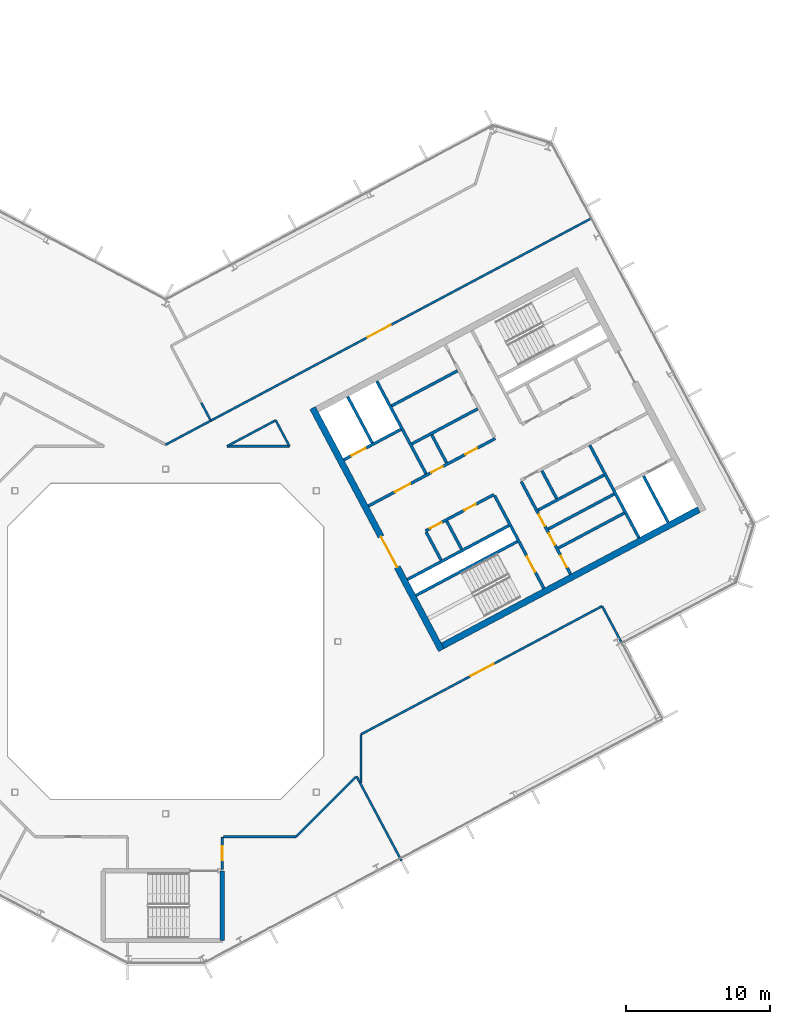
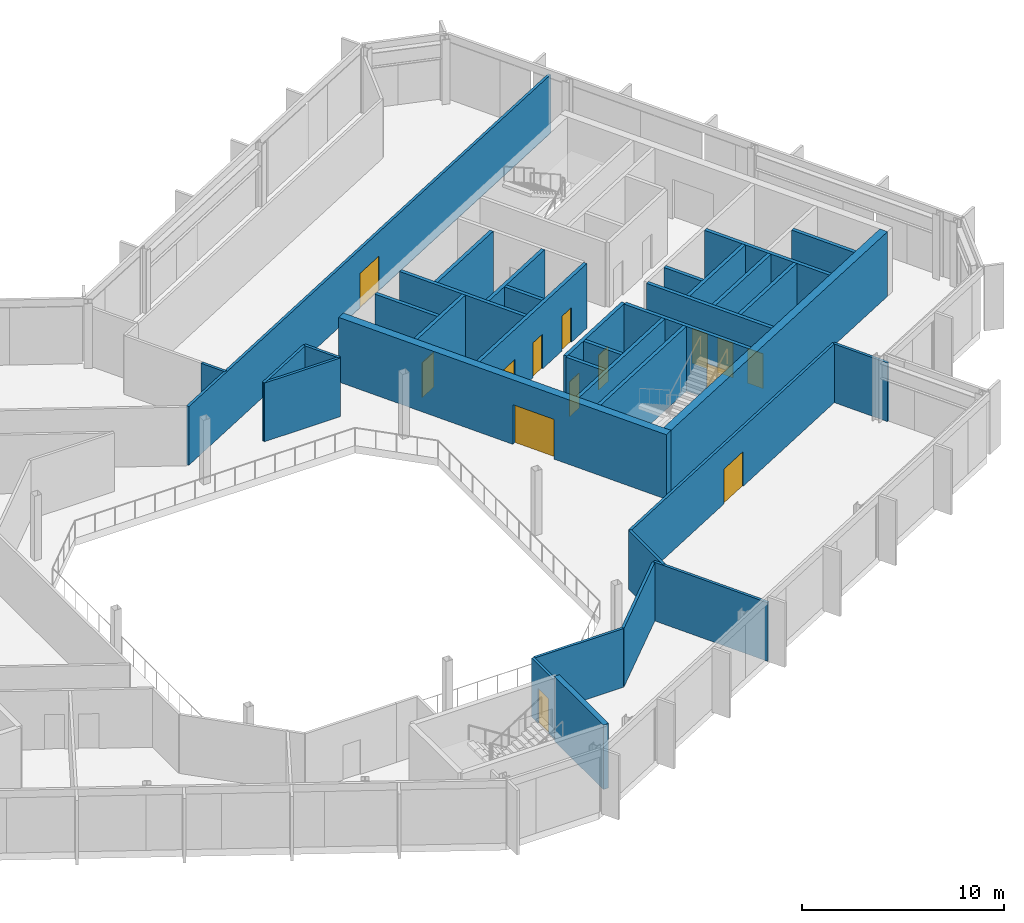
# One storey, part 16 of 26: 35 walls, 14 doors, 14 openings.
"""IFC4 building model written with IfcOpenShell, lengths in metres."""

from ifc_helpers import new_model, si_unit, direction, frame, frame_2d, origin, place, context, subcontext, project, spatial, rectangle, extrude, material, layer, layer_set, type_object, element, fill, save


model = new_model("IFC4")

# Units and contexts
model_context = context("Model", 3, precision=1e-05, world=origin(), true_north=direction((0.0, 1.0)))
body_context = subcontext(model_context, "Body", "Model", "MODEL_VIEW")
ifc_project = project(units=[si_unit("LENGTHUNIT", "METRE"), si_unit("AREAUNIT", "SQUARE_METRE"), si_unit("VOLUMEUNIT", "CUBIC_METRE"), si_unit("PLANEANGLEUNIT", "RADIAN"), si_unit("MASSUNIT", "GRAM", prefix="KILO")], contexts=[model_context])

# Site, building, storey
site_placement = place(None, origin())
site = spatial("IfcSite", under=ifc_project, at=site_placement, CompositionType="ELEMENT")
building_placement = place(site_placement, origin())
building = spatial("IfcBuilding", under=site, at=building_placement, Name="Cormorant Relay Tower", CompositionType="ELEMENT")
storey_placement = place(building_placement, frame((0.0, 0.0, 320.39990234375)))
storey = spatial("IfcBuildingStorey", under=building, at=storey_placement, Name="L73", CompositionType="ELEMENT", Elevation=320.39990234375)

# Walls
ifc_material_1 = material(Name="Concrete 40 MPa", Category="concrete")
ifc_layer_1 = layer(ifc_material_1, 0.199951171875)
ifc_layer_set_1 = layer_set([ifc_layer_1], Name="Core internal wall 200")
wall_type_1 = type_object("IfcWallType", Name="Core internal wall 200", PredefinedType="SOLIDWALL", material=ifc_layer_set_1)
for number, where, z_axis, x_axis, name in (
    (1, (20.614013671875, 6.430419921875, 0.0), (0.0, 0.0, 1.0), (-0.4694473164, 0.882960484464, 0.0), "L73 core B shaft and room wall"),
    (2, (19.568603515625, 12.443603515625, 0.0), (0.0, 0.0, 1.0), (-0.4694473164, 0.882960484464, 0.0), "L73 core B shaft and room wall"),
    (3, (27.236083984375, 9.951416015625, 0.0), (0.0, 0.0, 1.0), (-0.4694473164, 0.882960484464, 0.0), "L73 core B shaft and room wall"),
):
    element("IfcWall", number, at=place(storey_placement, frame(where, z_axis=z_axis, x_axis=x_axis)), inside=storey, type_object=wall_type_1, Name=name, PredefinedType="SOLIDWALL", context=body_context, shape_type="SweptSolid", body=[
        extrude(rectangle(XDim=2.199951171875, YDim=0.199951171875, at=frame_2d((1.10009765625, 0.0))), origin(), (0.0, 0.0, 1.0), 3.900146484375),
    ])
for number, where, z_axis, x_axis, name in (
    (4, (27.349365234375, 6.500732421875, 0.0), (0.0, 0.0, 1.0), (0.882953967957, 0.469459572775, 0.0), "L73 core B shaft and room wall"),
    (5, (26.645263671875, 7.8251953125, 0.0), (0.0, 0.0, 1.0), (0.882953967957, 0.469459572775, 0.0), "L73 core B shaft and room wall"),
    (6, (15.738525390625, 16.409423828125, 0.0), (0.0, 0.0, 1.0), (0.882934506056, 0.469496174655, 0.0), "L73 core B shaft and room wall"),
):
    element("IfcWall", number, at=place(storey_placement, frame(where, z_axis=z_axis, x_axis=x_axis)), inside=storey, type_object=wall_type_1, Name=name, PredefinedType="SOLIDWALL", context=body_context, shape_type="SweptSolid", body=[
        extrude(rectangle(XDim=5.199951171875, YDim=0.199951171875, at=frame_2d((2.60009765625, 0.0))), origin(), (0.0, 0.0, 1.0), 3.900146484375),
    ])
ifc_material_2 = material(Name="Concrete 50 MPa", Category="concrete")
ifc_layer_2 = layer(ifc_material_2, 0.199951171875)
ifc_layer_set_2 = layer_set([ifc_layer_2], Name="Core shaft wall 200")
wall_type_2 = type_object("IfcWallType", Name="Core shaft wall 200", PredefinedType="SHEAR", material=ifc_layer_set_2)
wall_1_placement = place(storey_placement, frame((14.39404296875, 13.825927734375, 0.0), z_axis=(0.0, 0.0, 1.0), x_axis=(-0.469494272526, 0.882935517501, 0.0)))
element("IfcWall", 7, at=wall_1_placement, inside=storey, type_object=wall_type_2, Name="L73 core B shaft wall", PredefinedType="SHEAR", context=body_context, shape_type="SweptSolid", body=[
    extrude(rectangle(XDim=3.64990234375, YDim=0.199951171875, at=frame_2d((1.824951171875, 0.0))), origin(), (0.0, 0.0, 1.0), 3.900146484375),
])
wall_2_placement = place(storey_placement, frame((19.18359375, 5.669921875, 0.0), z_axis=(0.0, 0.0, 1.0), x_axis=(-0.4694473164, 0.882960484464, 0.0)))
element("IfcWall", 8, at=wall_2_placement, inside=storey, type_object=wall_type_2, Name="L73 core B shaft wall", PredefinedType="SHEAR", context=body_context, shape_type="SweptSolid", body=[
    extrude(rectangle(XDim=2.199951171875, YDim=0.199951171875, at=frame_2d((1.10009765625, 0.0))), origin(), (0.0, 0.0, 1.0), 3.900146484375),
])
wall_3_placement = place(storey_placement, frame((18.138427734375, 11.682861328125, 0.0), z_axis=(0.0, 0.0, 1.0), x_axis=(-0.469480409012, 0.88294288918, 0.0)))
element("IfcWall", 9, at=wall_3_placement, inside=storey, type_object=wall_type_2, Name="L73 core B shaft wall", PredefinedType="SHEAR", context=body_context, shape_type="SweptSolid", body=[
    extrude(rectangle(XDim=7.300048828125, YDim=0.199951171875, at=frame_2d((3.64990234375, 0.0))), origin(), (0.0, 0.0, 1.0), 3.900146484375),
])

# Wall, opening, door
wall_4_placement = place(storey_placement, frame((26.345947265625, 3.701904296875, 0.0), z_axis=(0.0, 0.0, 1.0), x_axis=(-0.469480409012, 0.88294288918, 0.0)))
wall_4 = element("IfcWall", 10, at=wall_4_placement, inside=storey, type_object=wall_type_2, Name="L73 core B shaft wall", PredefinedType="SHEAR", context=body_context, shape_type="SweptSolid", body=[
    extrude(rectangle(XDim=7.300048828125, YDim=0.199951171875, at=frame_2d((3.64990234375, 0.0))), origin(), (0.0, 0.0, 1.0), 3.900146484375),
])
opening_1_placement = place(wall_4_placement, frame((1.300048828125, 0.0, 0.0)))
opening_1 = element("IfcOpeningElement", 11, at=opening_1_placement, cuts=wall_4, Name="Opening CDB-040", PredefinedType="OPENING", context=body_context, shape_type="SweptSolid", body=[
    extrude(rectangle(XDim=1.199951171875, YDim=2.10009765625, at=frame_2d((0.60009765625, 1.050048828125))), frame((0.0, 0.10986328125, 0.0), z_axis=(0.0, -1.0, 0.0), x_axis=(1.0, 0.0, 0.0)), (0.0, 0.0, 1.0), 0.219970703125),
])
ifc_material_3 = material(Name="Steel fire door", Category="steel")
door_type_1 = type_object("IfcDoorType", Name="Core stair door 1200x2100", OperationType="SINGLE_SWING_LEFT", PredefinedType="DOOR", material=ifc_material_3)
door_1_placement = place(opening_1_placement, origin())
door_1 = element("IfcDoor", 12, at=door_1_placement, inside=storey, type_object=door_type_1, Name="Core stair door 1200x2100", OperationType="SINGLE_SWING_RIGHT", OverallHeight=2.10009765625, OverallWidth=1.199951171875, PredefinedType="DOOR", context=body_context, shape_type="SweptSolid", body=[
    extrude(rectangle(XDim=1.199951171875, YDim=2.10009765625, at=frame_2d((0.60009765625, 1.050048828125))), frame((0.0, 0.02490234375, 0.0), z_axis=(0.0, -1.0, 0.0), x_axis=(1.0, 0.0, 0.0)), (0.0, 0.0, 1.0), 0.050048828125),
])
fill(opening_1, door_1)

# Wall, openings, doors
wall_5_placement = place(storey_placement, frame((28.199951171875, 4.687744140625, 0.0), z_axis=(0.0, 0.0, 1.0), x_axis=(-0.469454336211, 0.882956752176, 0.0)))
wall_5 = element("IfcWall", 13, at=wall_5_placement, inside=storey, type_object=wall_type_2, Name="L73 core B shaft wall", PredefinedType="SHEAR", context=body_context, shape_type="SweptSolid", body=[
    extrude(rectangle(XDim=7.300048828125, YDim=0.199951171875, at=frame_2d((3.64990234375, 0.0))), origin(), (0.0, 0.0, 1.0), 3.900146484375),
])
opening_2_placement = place(wall_5_placement, frame((0.550048828125, 0.0, 0.0)))
opening_2 = element("IfcOpeningElement", 14, at=opening_2_placement, cuts=wall_5, Name="Opening CDD-265", PredefinedType="OPENING", context=body_context, shape_type="SweptSolid", body=[
    extrude(rectangle(XDim=0.89990234375, YDim=2.10009765625, at=frame_2d((0.449951171875, 1.050048828125))), frame((0.0, 0.10986328125, 0.0), z_axis=(0.0, -1.0, 0.0), x_axis=(1.0, 0.0, 0.0)), (0.0, 0.0, 1.0), 0.219970703125),
])
opening_3_placement = place(wall_5_placement, frame((2.300048828125, 0.0, 0.0)))
opening_3 = element("IfcOpeningElement", 15, at=opening_3_placement, cuts=wall_5, Name="Opening CDD-266", PredefinedType="OPENING", context=body_context, shape_type="SweptSolid", body=[
    extrude(rectangle(XDim=0.89990234375, YDim=2.10009765625, at=frame_2d((0.449951171875, 1.050048828125))), frame((0.0, 0.10986328125, 0.0), z_axis=(0.0, -1.0, 0.0), x_axis=(1.0, 0.0, 0.0)), (0.0, 0.0, 1.0), 0.219970703125),
])
opening_4_placement = place(wall_5_placement, frame((3.800048828125, 0.0, 0.0)))
opening_4 = element("IfcOpeningElement", 16, at=opening_4_placement, cuts=wall_5, Name="Opening CDD-267", PredefinedType="OPENING", context=body_context, shape_type="SweptSolid", body=[
    extrude(rectangle(XDim=0.89990234375, YDim=2.10009765625, at=frame_2d((0.449951171875, 1.050048828125))), frame((0.0, 0.10986328125, 0.0), z_axis=(0.0, -1.0, 0.0), x_axis=(1.0, 0.0, 0.0)), (0.0, 0.0, 1.0), 0.219970703125),
])
ifc_material_4 = material(Name="Steel fire door", Category="steel")
door_type_2 = type_object("IfcDoorType", Name="Core room door 900x2100", OperationType="SINGLE_SWING_LEFT", PredefinedType="DOOR", material=ifc_material_4)
door_2_placement = place(opening_2_placement, frame((0.89990234375, 0.0, 0.0), z_axis=(0.0, 0.0, 1.0), x_axis=(-1.0, 0.0, 0.0)))
door_2 = element("IfcDoor", 17, at=door_2_placement, inside=storey, type_object=door_type_2, Name="Core room door 900x2100", OperationType="SINGLE_SWING_LEFT", OverallHeight=2.10009765625, OverallWidth=0.89990234375, PredefinedType="DOOR", context=body_context, shape_type="SweptSolid", body=[
    extrude(rectangle(XDim=0.89990234375, YDim=2.10009765625, at=frame_2d((0.449951171875, 1.050048828125))), frame((0.0, 0.02490234375, 0.0), z_axis=(0.0, -1.0, 0.0), x_axis=(1.0, 0.0, 0.0)), (0.0, 0.0, 1.0), 0.050048828125),
])
fill(opening_2, door_2)
door_3_placement = place(opening_3_placement, frame((0.89990234375, 0.0, 0.0), z_axis=(0.0, 0.0, 1.0), x_axis=(-1.0, 0.0, 0.0)))
door_3 = element("IfcDoor", 18, at=door_3_placement, inside=storey, type_object=door_type_2, Name="Core room door 900x2100", OperationType="SINGLE_SWING_LEFT", OverallHeight=2.10009765625, OverallWidth=0.89990234375, PredefinedType="DOOR", context=body_context, shape_type="SweptSolid", body=[
    extrude(rectangle(XDim=0.89990234375, YDim=2.10009765625, at=frame_2d((0.449951171875, 1.050048828125))), frame((0.0, 0.02490234375, 0.0), z_axis=(0.0, -1.0, 0.0), x_axis=(1.0, 0.0, 0.0)), (0.0, 0.0, 1.0), 0.050048828125),
])
fill(opening_3, door_3)
door_4_placement = place(opening_4_placement, frame((0.89990234375, 0.0, 0.0), z_axis=(0.0, 0.0, 1.0), x_axis=(-1.0, 0.0, 0.0)))
door_4 = element("IfcDoor", 19, at=door_4_placement, inside=storey, type_object=door_type_2, Name="Core room door 900x2100", OperationType="SINGLE_SWING_LEFT", OverallHeight=2.10009765625, OverallWidth=0.89990234375, PredefinedType="DOOR", context=body_context, shape_type="SweptSolid", body=[
    extrude(rectangle(XDim=0.89990234375, YDim=2.10009765625, at=frame_2d((0.449951171875, 1.050048828125))), frame((0.0, 0.02490234375, 0.0), z_axis=(0.0, -1.0, 0.0), x_axis=(1.0, 0.0, 0.0)), (0.0, 0.0, 1.0), 0.050048828125),
])
fill(opening_4, door_4)

# Walls
wall_6_placement = place(storey_placement, frame((32.968017578125, 7.222900390625, 0.0), z_axis=(0.0, 0.0, 1.0), x_axis=(-0.469480409012, 0.88294288918, 0.0)))
element("IfcWall", 20, at=wall_6_placement, inside=storey, type_object=wall_type_2, Name="L73 core B shaft wall", PredefinedType="SHEAR", context=body_context, shape_type="SweptSolid", body=[
    extrude(rectangle(XDim=7.300048828125, YDim=0.199951171875, at=frame_2d((3.64990234375, 0.0))), origin(), (0.0, 0.0, 1.0), 3.900146484375),
])
wall_7_placement = place(storey_placement, frame((34.998779296875, 8.302734375, 0.0), z_axis=(0.0, 0.0, 1.0), x_axis=(-0.4694665462, 0.882950260207, 0.0)))
element("IfcWall", 21, at=wall_7_placement, inside=storey, type_object=wall_type_2, Name="L73 core B shaft wall", PredefinedType="SHEAR", context=body_context, shape_type="SweptSolid", body=[
    extrude(rectangle(XDim=3.650146484375, YDim=0.199951171875, at=frame_2d((1.8251953125, 0.0))), origin(), (0.0, 0.0, 1.0), 3.900146484375),
])
for number, where, z_axis, x_axis, name in (
    (22, (17.43359375, 3.210205078125, 0.0), (0.0, 0.0, 1.0), (0.882940221191, 0.469485426614, 0.0), "L73 core B shaft wall"),
    (23, (16.8466796875, 4.31396484375, 0.0), (0.0, 0.0, 1.0), (0.882940221191, 0.469485426614, 0.0), "L73 core B shaft wall"),
):
    element("IfcWall", number, at=place(storey_placement, frame(where, z_axis=z_axis, x_axis=x_axis)), inside=storey, type_object=wall_type_2, Name=name, PredefinedType="SHEAR", context=body_context, shape_type="SweptSolid", body=[
        extrude(rectangle(XDim=8.0, YDim=0.199951171875, at=frame_2d((4.0, 0.0))), origin(), (0.0, 0.0, 1.0), 3.900146484375),
    ])
wall_8_placement = place(storey_placement, frame((25.94091796875, 9.149658203125, 0.0), z_axis=(0.0, 0.0, 1.0), x_axis=(0.882953967957, 0.469459572775, 0.0)))
element("IfcWall", 24, at=wall_8_placement, inside=storey, type_object=wall_type_2, Name="L73 core B shaft wall", PredefinedType="SHEAR", context=body_context, shape_type="SweptSolid", body=[
    extrude(rectangle(XDim=5.199951171875, YDim=0.199951171875, at=frame_2d((2.60009765625, 0.0))), origin(), (0.0, 0.0, 1.0), 3.900146484375),
])

# Wall, openings, doors
wall_9_placement = place(storey_placement, frame((18.103759765625, 7.70068359375, 0.0), z_axis=(0.0, 0.0, 1.0), x_axis=(0.882952937579, 0.469461510692, 0.0)))
wall_9 = element("IfcWall", 25, at=wall_9_placement, inside=storey, type_object=wall_type_2, Name="L73 core B shaft wall", PredefinedType="SHEAR", context=body_context, shape_type="SweptSolid", body=[
    extrude(rectangle(XDim=5.400146484375, YDim=0.199951171875, at=frame_2d((2.7001953125, 0.0))), origin(), (0.0, 0.0, 1.0), 3.900146484375),
])
opening_5_placement = place(wall_9_placement, frame((0.360107421875, 0.0, 0.0)))
opening_5 = element("IfcOpeningElement", 26, at=opening_5_placement, cuts=wall_9, Name="Opening CDD-245", PredefinedType="OPENING", context=body_context, shape_type="SweptSolid", body=[
    extrude(rectangle(XDim=0.89990234375, YDim=2.10009765625, at=frame_2d((0.449951171875, 1.050048828125))), frame((0.0, 0.10986328125, 0.0), z_axis=(0.0, -1.0, 0.0), x_axis=(1.0, 0.0, 0.0)), (0.0, 0.0, 1.0), 0.219970703125),
])
opening_6_placement = place(wall_9_placement, frame((3.06005859375, 0.0, 0.0)))
opening_6 = element("IfcOpeningElement", 27, at=opening_6_placement, cuts=wall_9, Name="Opening CDD-246", PredefinedType="OPENING", context=body_context, shape_type="SweptSolid", body=[
    extrude(rectangle(XDim=0.89990234375, YDim=2.10009765625, at=frame_2d((0.449951171875, 1.050048828125))), frame((0.0, 0.10986328125, 0.0), z_axis=(0.0, -1.0, 0.0), x_axis=(1.0, 0.0, 0.0)), (0.0, 0.0, 1.0), 0.219970703125),
])
door_5_placement = place(opening_5_placement, frame((0.89990234375, 0.0, 0.0), z_axis=(0.0, 0.0, 1.0), x_axis=(-1.0, 0.0, 0.0)))
door_5 = element("IfcDoor", 28, at=door_5_placement, inside=storey, type_object=door_type_2, Name="Core room door 900x2100", OperationType="SINGLE_SWING_RIGHT", OverallHeight=2.10009765625, OverallWidth=0.89990234375, PredefinedType="DOOR", context=body_context, shape_type="SweptSolid", body=[
    extrude(rectangle(XDim=0.89990234375, YDim=2.10009765625, at=frame_2d((0.449951171875, 1.050048828125))), frame((0.0, 0.02490234375, 0.0), z_axis=(0.0, -1.0, 0.0), x_axis=(1.0, 0.0, 0.0)), (0.0, 0.0, 1.0), 0.050048828125),
])
fill(opening_5, door_5)
door_6_placement = place(opening_6_placement, frame((0.89990234375, 0.0, 0.0), z_axis=(0.0, 0.0, 1.0), x_axis=(-1.0, 0.0, 0.0)))
door_6 = element("IfcDoor", 29, at=door_6_placement, inside=storey, type_object=door_type_2, Name="Core room door 900x2100", OperationType="SINGLE_SWING_RIGHT", OverallHeight=2.10009765625, OverallWidth=0.89990234375, PredefinedType="DOOR", context=body_context, shape_type="SweptSolid", body=[
    extrude(rectangle(XDim=0.89990234375, YDim=2.10009765625, at=frame_2d((0.449951171875, 1.050048828125))), frame((0.0, 0.02490234375, 0.0), z_axis=(0.0, -1.0, 0.0), x_axis=(1.0, 0.0, 0.0)), (0.0, 0.0, 1.0), 0.050048828125),
])
fill(opening_6, door_6)

wall_10_placement = place(storey_placement, frame((14.123779296875, 9.43505859375, 0.0), z_axis=(0.0, 0.0, 1.0), x_axis=(0.882940221191, 0.469485426614, 0.0)))
wall_10 = element("IfcWall", 30, at=wall_10_placement, inside=storey, type_object=wall_type_2, Name="L73 core B shaft wall", PredefinedType="SHEAR", context=body_context, shape_type="SweptSolid", body=[
    extrude(rectangle(XDim=10.0, YDim=0.199951171875, at=frame_2d((5.0, 0.0))), origin(), (0.0, 0.0, 1.0), 3.900146484375),
])
opening_7_placement = place(wall_10_placement, frame((2.10009765625, 0.0, 0.0)))
opening_7 = element("IfcOpeningElement", 31, at=opening_7_placement, cuts=wall_10, Name="Opening CDC-037", PredefinedType="OPENING", context=body_context, shape_type="SweptSolid", body=[
    extrude(rectangle(XDim=1.199951171875, YDim=2.10009765625, at=frame_2d((0.60009765625, 1.050048828125))), frame((0.0, 0.10986328125, 0.0), z_axis=(0.0, -1.0, 0.0), x_axis=(1.0, 0.0, 0.0)), (0.0, 0.0, 1.0), 0.219970703125),
])
opening_8_placement = place(wall_10_placement, frame((4.9599609375, 0.0, 0.0)))
opening_8 = element("IfcOpeningElement", 32, at=opening_8_placement, cuts=wall_10, Name="Opening CDD-293", PredefinedType="OPENING", context=body_context, shape_type="SweptSolid", body=[
    extrude(rectangle(XDim=0.89990234375, YDim=2.10009765625, at=frame_2d((0.449951171875, 1.050048828125))), frame((0.0, 0.10986328125, 0.0), z_axis=(0.0, -1.0, 0.0), x_axis=(1.0, 0.0, 0.0)), (0.0, 0.0, 1.0), 0.219970703125),
])
opening_9_placement = place(wall_10_placement, frame((7.659912109375, 0.0, 0.0)))
opening_9 = element("IfcOpeningElement", 33, at=opening_9_placement, cuts=wall_10, Name="Opening CDD-272", PredefinedType="OPENING", context=body_context, shape_type="SweptSolid", body=[
    extrude(rectangle(XDim=0.89990234375, YDim=2.10009765625, at=frame_2d((0.449951171875, 1.050048828125))), frame((0.0, 0.10986328125, 0.0), z_axis=(0.0, -1.0, 0.0), x_axis=(1.0, 0.0, 0.0)), (0.0, 0.0, 1.0), 0.219970703125),
])
ifc_material_5 = material(Name="Steel fire door", Category="steel")
door_type_3 = type_object("IfcDoorType", Name="Core lobby door 1200x2100", OperationType="SINGLE_SWING_LEFT", PredefinedType="DOOR", material=ifc_material_5)
door_7_placement = place(opening_7_placement, origin())
door_7 = element("IfcDoor", 34, at=door_7_placement, inside=storey, type_object=door_type_3, Name="Core lobby door 1200x2100", OperationType="SINGLE_SWING_RIGHT", OverallHeight=2.10009765625, OverallWidth=1.199951171875, PredefinedType="DOOR", context=body_context, shape_type="SweptSolid", body=[
    extrude(rectangle(XDim=1.199951171875, YDim=2.10009765625, at=frame_2d((0.60009765625, 1.050048828125))), frame((0.0, 0.02490234375, 0.0), z_axis=(0.0, -1.0, 0.0), x_axis=(1.0, 0.0, 0.0)), (0.0, 0.0, 1.0), 0.050048828125),
])
fill(opening_7, door_7)
door_8_placement = place(opening_8_placement, origin())
door_8 = element("IfcDoor", 35, at=door_8_placement, inside=storey, type_object=door_type_2, Name="Core room door 900x2100", OperationType="SINGLE_SWING_LEFT", OverallHeight=2.10009765625, OverallWidth=0.89990234375, PredefinedType="DOOR", context=body_context, shape_type="SweptSolid", body=[
    extrude(rectangle(XDim=0.89990234375, YDim=2.10009765625, at=frame_2d((0.449951171875, 1.050048828125))), frame((0.0, 0.02490234375, 0.0), z_axis=(0.0, -1.0, 0.0), x_axis=(1.0, 0.0, 0.0)), (0.0, 0.0, 1.0), 0.050048828125),
])
fill(opening_8, door_8)
door_9_placement = place(opening_9_placement, origin())
door_9 = element("IfcDoor", 36, at=door_9_placement, inside=storey, type_object=door_type_2, Name="Core room door 900x2100", OperationType="SINGLE_SWING_LEFT", OverallHeight=2.10009765625, OverallWidth=0.89990234375, PredefinedType="DOOR", context=body_context, shape_type="SweptSolid", body=[
    extrude(rectangle(XDim=0.89990234375, YDim=2.10009765625, at=frame_2d((0.449951171875, 1.050048828125))), frame((0.0, 0.02490234375, 0.0), z_axis=(0.0, -1.0, 0.0), x_axis=(1.0, 0.0, 0.0)), (0.0, 0.0, 1.0), 0.050048828125),
])
fill(opening_9, door_9)

# Wall
wall_11_placement = place(storey_placement, frame((17.146728515625, 13.7607421875, 0.0), z_axis=(0.0, 0.0, 1.0), x_axis=(0.882964314875, 0.469440111896, 0.0)))
element("IfcWall", 37, at=wall_11_placement, inside=storey, type_object=wall_type_2, Name="L73 core B shaft wall", PredefinedType="SHEAR", context=body_context, shape_type="SweptSolid", body=[
    extrude(rectangle(XDim=5.2001953125, YDim=0.199951171875, at=frame_2d((2.60009765625, 0.0))), origin(), (0.0, 0.0, 1.0), 3.900146484375),
])

# Wall, opening, door
wall_12_placement = place(storey_placement, frame((12.41015625, 12.657958984375, 0.0), z_axis=(0.0, 0.0, 1.0), x_axis=(0.8829484765, 0.469469900894, 0.0)))
wall_12 = element("IfcWall", 38, at=wall_12_placement, inside=storey, type_object=wall_type_2, Name="L73 core B shaft wall", PredefinedType="SHEAR", context=body_context, shape_type="SweptSolid", body=[
    extrude(rectangle(XDim=4.499755859375, YDim=0.199951171875, at=frame_2d((2.25, 0.0))), origin(), (0.0, 0.0, 1.0), 3.900146484375),
])
opening_10_placement = place(wall_12_placement, frame((0.60009765625, 0.0, 0.0)))
opening_10 = element("IfcOpeningElement", 39, at=opening_10_placement, cuts=wall_12, Name="Opening LD1-064", PredefinedType="OPENING", context=body_context, shape_type="SweptSolid", body=[
    extrude(rectangle(XDim=1.10009765625, YDim=2.10009765625, at=frame_2d((0.550048828125, 1.050048828125))), frame((0.0, 0.10986328125, 0.0), z_axis=(0.0, -1.0, 0.0), x_axis=(1.0, 0.0, 0.0)), (0.0, 0.0, 1.0), 0.219970703125),
])
ifc_material_6 = material(Name="Stainless steel 316", Category="steel")
door_type_4 = type_object("IfcDoorType", Name="Lift landing door 1100x2100", OperationType="DOUBLE_DOOR_SLIDING", PredefinedType="DOOR", material=ifc_material_6)
door_10_placement = place(opening_10_placement, origin())
door_10 = element("IfcDoor", 40, at=door_10_placement, inside=storey, type_object=door_type_4, Name="FF2 landing door", OperationType="DOUBLE_DOOR_SLIDING", OverallHeight=2.10009765625, OverallWidth=1.10009765625, PredefinedType="DOOR", context=body_context, shape_type="SweptSolid", body=[
    extrude(rectangle(XDim=1.10009765625, YDim=2.10009765625, at=frame_2d((0.550048828125, 1.050048828125))), frame((0.0, 0.02490234375, 0.0), z_axis=(0.0, -1.0, 0.0), x_axis=(1.0, 0.0, 0.0)), (0.0, 0.0, 1.0), 0.050048828125),
])
fill(opening_10, door_10)

ifc_material_7 = material(Name="Concrete 50 MPa", Category="concrete")
ifc_layer_3 = layer(ifc_material_7, 0.449951171875)
ifc_layer_set_3 = layer_set([ifc_layer_3], Name="Core wall 450")
wall_type_3 = type_object("IfcWallType", Name="Core wall 450", PredefinedType="SHEAR", material=ifc_layer_set_3)
wall_13_placement = place(storey_placement, frame((19.20654296875, -0.603759765625, 0.0), z_axis=(0.0, 0.0, 1.0), x_axis=(-0.469467968382, 0.882949504028, 0.0)))
wall_13 = element("IfcWall", 41, at=wall_13_placement, inside=storey, type_object=wall_type_3, Name="L73 core B wall", PredefinedType="SHEAR", context=body_context, shape_type="SweptSolid", body=[
    extrude(rectangle(XDim=19.099853515625, YDim=0.449951171875, at=frame_2d((9.5498046875, 0.0))), origin(), (0.0, 0.0, 1.0), 3.900146484375),
])
opening_11_placement = place(wall_13_placement, frame((6.550048828125, 0.0, 0.0)))
opening_11 = element("IfcOpeningElement", 42, at=opening_11_placement, cuts=wall_13, Name="Opening CDA-055", PredefinedType="OPENING", context=body_context, shape_type="SweptSolid", body=[
    extrude(rectangle(XDim=2.39990234375, YDim=2.39990234375, at=frame_2d((1.199951171875, 1.199951171875))), frame((0.0, 0.23486328125, 0.0), z_axis=(0.0, -1.0, 0.0), x_axis=(1.0, 0.0, 0.0)), (0.0, 0.0, 1.0), 0.469970703125),
])
ifc_material_8 = material(Name="Steel fire door", Category="steel")
door_type_5 = type_object("IfcDoorType", Name="Core lobby door 2400x2400", OperationType="DOUBLE_DOOR_SINGLE_SWING", PredefinedType="DOOR", material=ifc_material_8)
door_11_placement = place(opening_11_placement, origin())
door_11 = element("IfcDoor", 43, at=door_11_placement, inside=storey, type_object=door_type_5, Name="Core lobby door 2400x2400", OperationType="DOUBLE_DOOR_SINGLE_SWING", OverallHeight=2.39990234375, OverallWidth=2.39990234375, PredefinedType="DOOR", context=body_context, shape_type="SweptSolid", body=[
    extrude(rectangle(XDim=2.39990234375, YDim=2.39990234375, at=frame_2d((1.199951171875, 1.199951171875))), frame((0.0, 0.02490234375, 0.0), z_axis=(0.0, -1.0, 0.0), x_axis=(1.0, 0.0, 0.0)), (0.0, 0.0, 1.0), 0.050048828125),
])
fill(opening_11, door_11)

# Wall
wall_14_placement = place(storey_placement, frame((19.299560546875, -0.29931640625, 0.0), z_axis=(0.0, 0.0, 1.0), x_axis=(0.88295276571, 0.46946183394, 0.0)))
element("IfcWall", 44, at=wall_14_placement, inside=storey, type_object=wall_type_3, Name="L73 core B wall", PredefinedType="SHEAR", context=body_context, shape_type="SweptSolid", body=[
    extrude(rectangle(XDim=20.199951171875, YDim=0.449951171875, at=frame_2d((10.10009765625, 0.0))), origin(), (0.0, 0.0, 1.0), 3.900146484375),
])

# Wall, opening, door
ifc_material_9 = material(Name="Gypsum board fire partition")
ifc_layer_4 = layer(ifc_material_9, 0.14990234375)
ifc_layer_set_4 = layer_set([ifc_layer_4], Name="Corridor partition 150 EI 60")
wall_type_4 = type_object("IfcWallType", Name="Corridor partition 150 EI 60", PredefinedType="PARTITIONING", material=ifc_layer_set_4)
wall_15_placement = place(storey_placement, frame((0.0, 13.7041015625, 0.0), z_axis=(0.0, 0.0, 1.0), x_axis=(0.882954463269, 0.469458641196, 0.0)))
wall_15 = element("IfcWall", 45, at=wall_15_placement, inside=storey, type_object=wall_type_4, Name="wall/L73/part/008", PredefinedType="PARTITIONING", context=body_context, shape_type="SweptSolid", body=[
    extrude(rectangle(XDim=33.76611328125, YDim=0.14990234375, at=frame_2d((16.883056640625, 0.0))), origin(), (0.0, 0.0, 1.0), 3.5400390625),
])
opening_12_placement = place(wall_15_placement, frame((15.949951171875, 0.0, 0.0)))
opening_12 = element("IfcOpeningElement", 46, at=opening_12_placement, cuts=wall_15, Name="Opening DD-045", PredefinedType="OPENING", context=body_context, shape_type="SweptSolid", body=[
    extrude(rectangle(XDim=1.800048828125, YDim=2.10009765625, at=frame_2d((0.89990234375, 1.050048828125))), frame((0.0, 0.0849609375, 0.0), z_axis=(0.0, -1.0, 0.0), x_axis=(1.0, 0.0, 0.0)), (0.0, 0.0, 1.0), 0.169921875),
])
ifc_material_10 = material(Name="Timber door leaf", Category="wood")
door_type_6 = type_object("IfcDoorType", Name="Suite double door 1800x2100", OperationType="DOUBLE_DOOR_SINGLE_SWING", PredefinedType="DOOR", material=ifc_material_10)
door_12_placement = place(opening_12_placement, origin())
door_12 = element("IfcDoor", 47, at=door_12_placement, inside=storey, type_object=door_type_6, Name="door/L73/012", OperationType="DOUBLE_DOOR_SINGLE_SWING", OverallHeight=2.10009765625, OverallWidth=1.800048828125, PredefinedType="DOOR", context=body_context, shape_type="SweptSolid", body=[
    extrude(rectangle(XDim=1.800048828125, YDim=2.10009765625, at=frame_2d((0.89990234375, 1.050048828125))), frame((0.0, 0.02490234375, 0.0), z_axis=(0.0, -1.0, 0.0), x_axis=(1.0, 0.0, 0.0)), (0.0, 0.0, 1.0), 0.050048828125),
])
fill(opening_12, door_12)

wall_16_placement = place(storey_placement, frame((3.949951171875, -13.60009765625, 0.0), z_axis=(0.0, 0.0, 1.0), x_axis=(0.0, -1.0, 0.0)))
wall_16 = element("IfcWall", 48, at=wall_16_placement, inside=storey, type_object=wall_type_4, Name="wall/L73/part/038", PredefinedType="PARTITIONING", context=body_context, shape_type="SweptSolid", body=[
    extrude(rectangle(XDim=2.27490234375, YDim=0.14990234375, at=frame_2d((1.137451171875, 0.0))), origin(), (0.0, 0.0, 1.0), 3.5400390625),
])
opening_13_placement = place(wall_16_placement, frame((0.64990234375, 0.0, 0.0)))
opening_13 = element("IfcOpeningElement", 49, at=opening_13_placement, cuts=wall_16, Name="Opening DS-138", PredefinedType="OPENING", context=body_context, shape_type="SweptSolid", body=[
    extrude(rectangle(XDim=1.0, YDim=2.10009765625, at=frame_2d((0.5, 1.050048828125))), frame((0.0, 0.0849609375, 0.0), z_axis=(0.0, -1.0, 0.0), x_axis=(1.0, 0.0, 0.0)), (0.0, 0.0, 1.0), 0.169921875),
])
ifc_material_11 = material(Name="Timber door leaf", Category="wood")
door_type_7 = type_object("IfcDoorType", Name="Suite door 1000x2100", OperationType="SINGLE_SWING_LEFT", PredefinedType="DOOR", material=ifc_material_11)
door_13_placement = place(opening_13_placement, origin())
door_13 = element("IfcDoor", 50, at=door_13_placement, inside=storey, type_object=door_type_7, Name="door/L73/005", OperationType="SINGLE_SWING_LEFT", OverallHeight=2.10009765625, OverallWidth=1.0, PredefinedType="DOOR", context=body_context, shape_type="SweptSolid", body=[
    extrude(rectangle(XDim=1.0, YDim=2.10009765625, at=frame_2d((0.5, 1.050048828125))), frame((0.0, 0.02490234375, 0.0), z_axis=(0.0, -1.0, 0.0), x_axis=(1.0, 0.0, 0.0)), (0.0, 0.0, 1.0), 0.050048828125),
])
fill(opening_13, door_13)

# Walls
wall_17_placement = place(storey_placement, frame((13.23291015625, -9.444091796875, 0.0), z_axis=(0.0, 0.0, 1.0), x_axis=(-0.707106781187, -0.707106781187, 0.0)))
element("IfcWall", 51, at=wall_17_placement, inside=storey, type_object=wall_type_4, Name="wall/L73/part/039", PredefinedType="PARTITIONING", context=body_context, shape_type="SweptSolid", body=[
    extrude(rectangle(XDim=5.87744140625, YDim=0.14990234375, at=frame_2d((2.938720703125, 0.0))), origin(), (0.0, 0.0, 1.0), 3.5400390625),
])
wall_18_placement = place(storey_placement, frame((9.076904296875, -13.60009765625, 0.0), z_axis=(0.0, 0.0, 1.0), x_axis=(-1.0, 0.0, 0.0)))
element("IfcWall", 52, at=wall_18_placement, inside=storey, type_object=wall_type_4, Name="wall/L73/part/040", PredefinedType="PARTITIONING", context=body_context, shape_type="SweptSolid", body=[
    extrude(rectangle(XDim=5.052001953125, YDim=0.14990234375, at=frame_2d((2.52587890625, 0.0))), origin(), (0.0, 0.0, 1.0), 3.5400390625),
])
wall_19_placement = place(storey_placement, frame((13.60009765625, -6.472900390625, 0.0), z_axis=(0.0, 0.0, 1.0), x_axis=(0.0, -1.0, 0.0)))
element("IfcWall", 53, at=wall_19_placement, inside=storey, type_object=wall_type_4, Name="wall/L73/part/042", PredefinedType="PARTITIONING", context=body_context, shape_type="SweptSolid", body=[
    extrude(rectangle(XDim=3.373046875, YDim=0.14990234375, at=frame_2d((1.6865234375, 0.0))), origin(), (0.0, 0.0, 1.0), 3.5400390625),
])

# Wall, opening, door
wall_20_placement = place(storey_placement, frame((13.60009765625, -6.472900390625, 0.0), z_axis=(0.0, 0.0, 1.0), x_axis=(0.882936434037, 0.469492548877, 0.0)))
wall_20 = element("IfcWall", 54, at=wall_20_placement, inside=storey, type_object=wall_type_4, Name="wall/L73/part/043", PredefinedType="PARTITIONING", context=body_context, shape_type="SweptSolid", body=[
    extrude(rectangle(XDim=19.03076171875, YDim=0.14990234375, at=frame_2d((9.515380859375, 0.0))), origin(), (0.0, 0.0, 1.0), 3.5400390625),
])
opening_14_placement = place(wall_20_placement, frame((8.64990234375, 0.0, 0.0)))
opening_14 = element("IfcOpeningElement", 55, at=opening_14_placement, cuts=wall_20, Name="Opening DD-044", PredefinedType="OPENING", context=body_context, shape_type="SweptSolid", body=[
    extrude(rectangle(XDim=1.800048828125, YDim=2.10009765625, at=frame_2d((0.89990234375, 1.050048828125))), frame((0.0, 0.0849609375, 0.0), z_axis=(0.0, -1.0, 0.0), x_axis=(1.0, 0.0, 0.0)), (0.0, 0.0, 1.0), 0.169921875),
])
door_14_placement = place(opening_14_placement, frame((1.800048828125, 0.0, 0.0), z_axis=(0.0, 0.0, 1.0), x_axis=(-1.0, 0.0, 0.0)))
door_14 = element("IfcDoor", 56, at=door_14_placement, inside=storey, type_object=door_type_6, Name="door/L73/006", OperationType="DOUBLE_DOOR_SINGLE_SWING", OverallHeight=2.10009765625, OverallWidth=1.800048828125, PredefinedType="DOOR", context=body_context, shape_type="SweptSolid", body=[
    extrude(rectangle(XDim=1.800048828125, YDim=2.10009765625, at=frame_2d((0.89990234375, 1.050048828125))), frame((0.0, 0.02490234375, 0.0), z_axis=(0.0, -1.0, 0.0), x_axis=(1.0, 0.0, 0.0)), (0.0, 0.0, 1.0), 0.050048828125),
])
fill(opening_14, door_14)

# Walls
wall_21_placement = place(storey_placement, frame((30.403076171875, 2.4619140625, 0.0), z_axis=(0.0, 0.0, 1.0), x_axis=(0.469572246647, -0.882894050936, 0.0)))
element("IfcWall", 57, at=wall_21_placement, inside=storey, type_object=wall_type_4, Name="wall/L73/part/044", PredefinedType="PARTITIONING", context=body_context, shape_type="SweptSolid", body=[
    extrude(rectangle(XDim=3.181396484375, YDim=0.14990234375, at=frame_2d((1.5908203125, 0.0))), origin(), (0.0, 0.0, 1.0), 3.5400390625),
])
wall_22_placement = place(storey_placement, frame((8.625, 13.60009765625, 0.0), z_axis=(0.0, 0.0, 1.0), x_axis=(-0.469420518513, 0.882974731688, 0.0)))
element("IfcWall", 58, at=wall_22_placement, inside=storey, type_object=wall_type_4, Name="wall/L73/part/057", PredefinedType="PARTITIONING", context=body_context, shape_type="SweptSolid", body=[
    extrude(rectangle(XDim=2.040771484375, YDim=0.14990234375, at=frame_2d((1.0205078125, 0.0))), origin(), (0.0, 0.0, 1.0), 3.5400390625),
])
wall_23_placement = place(storey_placement, frame((7.6669921875, 15.402099609375, 0.0), z_axis=(0.0, 0.0, 1.0), x_axis=(-0.882994654303, -0.469383042378, 0.0)))
element("IfcWall", 59, at=wall_23_placement, inside=storey, type_object=wall_type_4, Name="wall/L73/part/058", PredefinedType="PARTITIONING", context=body_context, shape_type="SweptSolid", body=[
    extrude(rectangle(XDim=3.839111328125, YDim=0.14990234375, at=frame_2d((1.91943359375, 0.0))), origin(), (0.0, 0.0, 1.0), 3.5400390625),
])
wall_24_placement = place(storey_placement, frame((4.277099609375, 13.60009765625, 0.0), z_axis=(0.0, 0.0, 1.0), x_axis=(1.0, 0.0, 0.0)))
element("IfcWall", 60, at=wall_24_placement, inside=storey, type_object=wall_type_4, Name="wall/L73/part/059", PredefinedType="PARTITIONING", context=body_context, shape_type="SweptSolid", body=[
    extrude(rectangle(XDim=4.347900390625, YDim=0.14990234375, at=frame_2d((2.173828125, 0.0))), origin(), (0.0, 0.0, 1.0), 3.5400390625),
])
ifc_material_12 = material(Name="Concrete 50 MPa", Category="concrete")
ifc_layer_5 = layer(ifc_material_12, 0.300048828125)
ifc_layer_set_5 = layer_set([ifc_layer_5], Name="Remote stair wall 300")
wall_type_5 = type_object("IfcWallType", Name="Remote stair wall 300", PredefinedType="SHEAR", material=ifc_layer_set_5)
wall_25_placement = place(storey_placement, frame((3.949951171875, -15.97509765625, 0.0), z_axis=(0.0, 0.0, 1.0), x_axis=(0.0, -1.0, 0.0)))
element("IfcWall", 61, at=wall_25_placement, inside=storey, type_object=wall_type_5, Name="L73 exit stair RK1 wall", PredefinedType="SHEAR", context=body_context, shape_type="SweptSolid", body=[
    extrude(rectangle(XDim=4.849853515625, YDim=0.300048828125, at=frame_2d((2.4248046875, 0.0))), origin(), (0.0, 0.0, 1.0), 3.900146484375),
])
ifc_material_13 = material(Name="Gypsum board partition")
ifc_layer_6 = layer(ifc_material_13, 0.14990234375)
ifc_layer_set_6 = layer_set([ifc_layer_6], Name="Tenant partition 150")
wall_type_6 = type_object("IfcWallType", Name="Tenant partition 150", PredefinedType="PARTITIONING", material=ifc_layer_set_6)
wall_26_placement = place(storey_placement, frame((2.487060546875, 16.6240234375, 0.0), z_axis=(0.0, 0.0, 1.0), x_axis=(0.469087751625, -0.883151561894, 0.0)))
element("IfcWall", 62, at=wall_26_placement, inside=storey, type_object=wall_type_6, Name="wall/L73/part/024", PredefinedType="PARTITIONING", context=body_context, shape_type="SweptSolid", body=[
    extrude(rectangle(XDim=1.410888671875, YDim=0.14990234375, at=frame_2d((0.70556640625, 0.0))), origin(), (0.0, 0.0, 1.0), 3.5400390625),
])
wall_27_placement = place(storey_placement, frame((13.294921875, -9.382080078125, 0.0), z_axis=(0.0, 0.0, 1.0), x_axis=(0.469560801687, -0.882900137908, 0.0)))
element("IfcWall", 63, at=wall_27_placement, inside=storey, type_object=wall_type_6, Name="wall/L73/part/041", PredefinedType="PARTITIONING", context=body_context, shape_type="SweptSolid", body=[
    extrude(rectangle(XDim=6.67431640625, YDim=0.14990234375, at=frame_2d((3.337158203125, 0.0))), origin(), (0.0, 0.0, 1.0), 3.5400390625),
])

save(model, "model.ifc")
